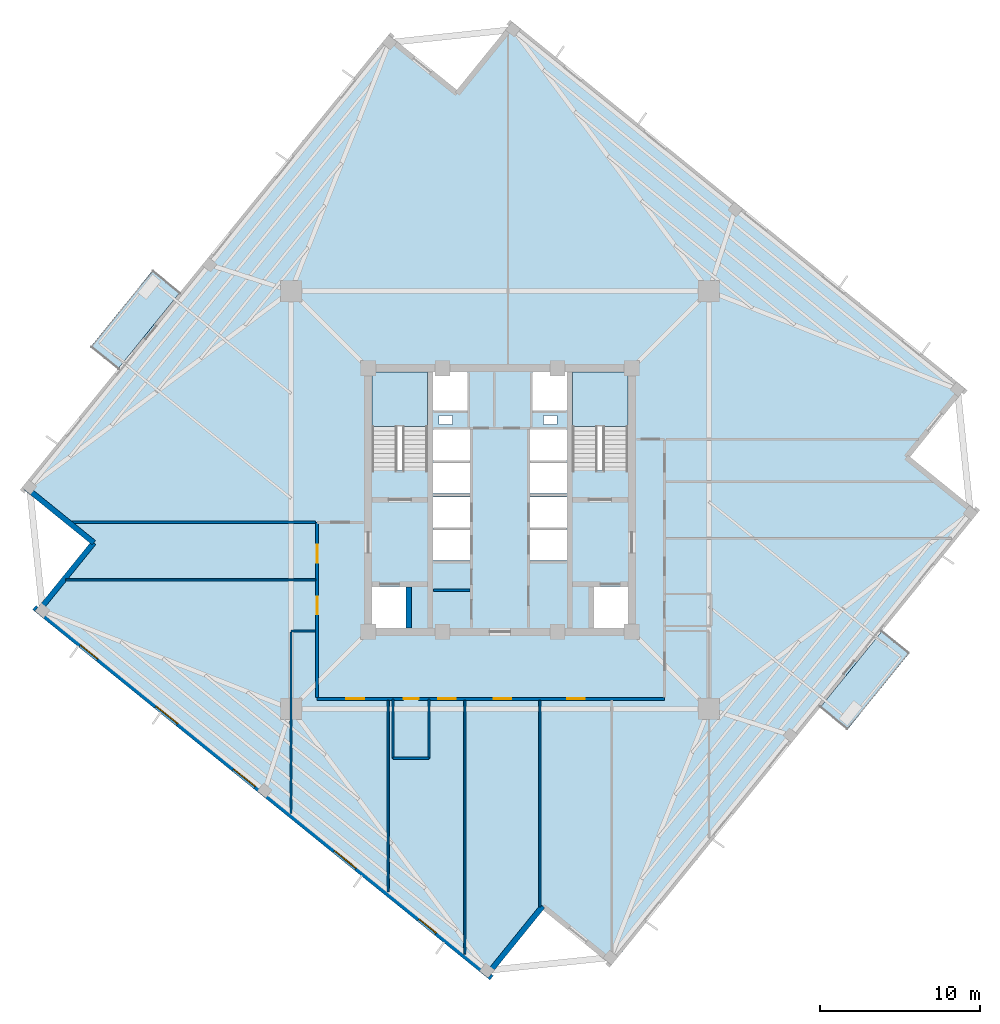
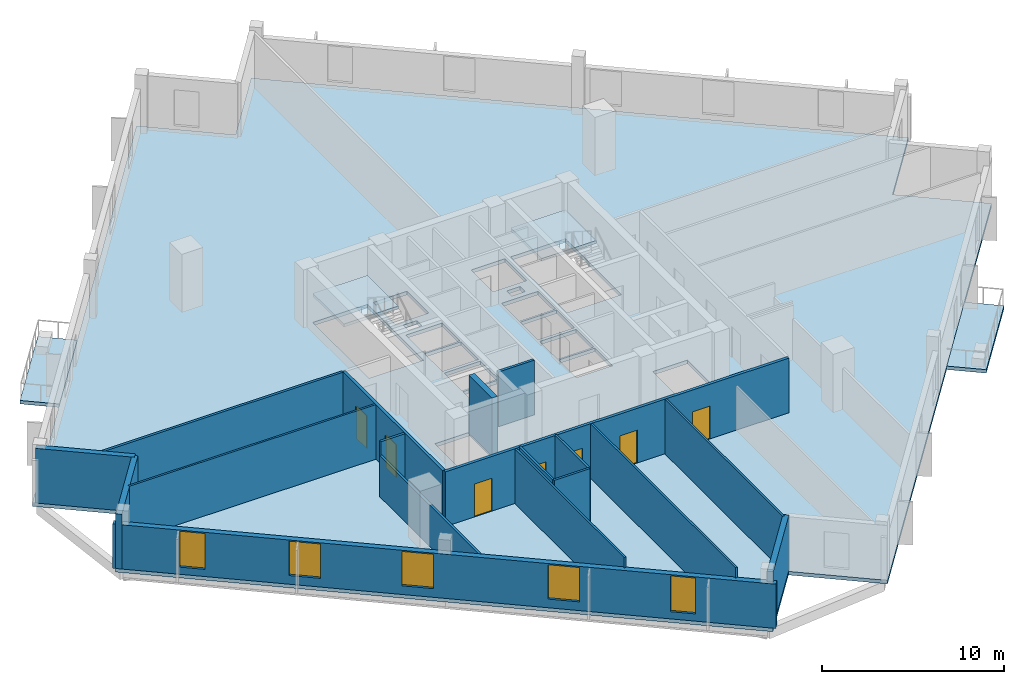
# One storey, part 2 of 9: 18 walls, 7 doors, 5 slabs, 5 windows, 12 openings, 2 elements without a shape of their own.
"""IFC4 building model written with IfcOpenShell, lengths in metres."""

from ifc_helpers import new_model, si_unit, direction, frame, frame_2d, origin, place, context, subcontext, project, spatial, polyline, rectangle, outline, extrude, source, transform, mapped, material, layer, layer_set, type_object, element, fill, aggregate, save


model = new_model("IFC4")

# Units and contexts
model_context = context("Model", 3, precision=1e-05, world=origin(), true_north=direction((0.0, 1.0)))
body_context = subcontext(model_context, "Body", "Model", "MODEL_VIEW")
ifc_project = project(units=[si_unit("LENGTHUNIT", "METRE"), si_unit("AREAUNIT", "SQUARE_METRE"), si_unit("VOLUMEUNIT", "CUBIC_METRE"), si_unit("PLANEANGLEUNIT", "RADIAN"), si_unit("MASSUNIT", "GRAM", prefix="KILO"), si_unit("THERMODYNAMICTEMPERATUREUNIT", "KELVIN")], contexts=[model_context])

# Site, building, storey
site_placement = place(None, origin())
site = spatial("IfcSite", under=ifc_project, at=site_placement, CompositionType="ELEMENT")
building_placement = place(site_placement, origin())
building = spatial("IfcBuilding", under=site, at=building_placement, Name="Kosmvard Interchange Tower", CompositionType="ELEMENT")
storey_placement = place(building_placement, frame((0.0, 0.0, 209.5)))
storey = spatial("IfcBuildingStorey", under=building, at=storey_placement, Name="L50", CompositionType="ELEMENT", Elevation=209.5)

# Slab
ifc_material_1 = material(Name="Concrete C50/60", Category="concrete")
ifc_layer_1 = layer(ifc_material_1, 0.239990234375, Name="Concrete C50/60")
ifc_layer_set_1 = layer_set([ifc_layer_1], Name="Concrete C50/60")
slab_type_1 = type_object("IfcSlabType", Name="High-Rise Suite Composite Slab 240 C50/60", PredefinedType="FLOOR", material=ifc_layer_set_1)
slab_1_placement = place(storey_placement, frame((0.0, 0.0, -0.239990234375)))
element("IfcSlab", 1, at=slab_1_placement, inside=storey, type_object=slab_type_1, Name="L50 Structural Floor Slab", PredefinedType="FLOOR", context=body_context, shape_type="SweptSolid", body=[
    extrude(outline(polyline([(6.97216796875, -29.12939453125), (29.9423828125, -0.763427734375), (25.66796875, 2.69775390625), (29.12939453125, 6.97216796875), (0.763427734375, 29.9423828125), (-2.69775390625, 25.66796875), (-6.97216796875, 29.12939453125), (-29.9423828125, 0.763427734375), (-25.66796875, -2.69775390625), (-29.12939453125, -6.97216796875), (-0.763427734375, -29.9423828125), (2.69775390625, -25.66796875), (6.97216796875, -29.12939453125)]), holes=[polyline([(-8.0, 1.8349609375), (-4.5400390625, 1.8349609375), (-4.5400390625, 8.0), (-8.0, 8.0), (-8.0, 1.8349609375)]), polyline([(4.5400390625, 1.8349609375), (8.0, 1.8349609375), (8.0, 8.0), (4.5400390625, 8.0), (4.5400390625, 1.8349609375)]), polyline([(-8.0, -8.0), (-5.800048828125, -8.0), (-5.800048828125, -5.39990234375), (-8.0, -5.39990234375), (-8.0, -8.0)]), polyline([(5.800048828125, -8.0), (8.0, -8.0), (8.0, -5.39990234375), (5.800048828125, -5.39990234375), (5.800048828125, -8.0)]), polyline([(-4.179931640625, -3.800048828125), (-1.8798828125, -3.800048828125), (-1.8798828125, -1.860107421875), (-4.179931640625, -1.860107421875), (-4.179931640625, -3.800048828125)]), polyline([(-4.179931640625, -1.739990234375), (-1.8798828125, -1.739990234375), (-1.8798828125, 0.199951171875), (-4.179931640625, 0.199951171875), (-4.179931640625, -1.739990234375)]), polyline([(1.8798828125, -3.800048828125), (4.179931640625, -3.800048828125), (4.179931640625, -1.860107421875), (1.8798828125, -1.860107421875), (1.8798828125, -3.800048828125)]), polyline([(1.8798828125, -1.739990234375), (4.179931640625, -1.739990234375), (4.179931640625, 0.199951171875), (1.8798828125, 0.199951171875), (1.8798828125, -1.739990234375)]), polyline([(-4.179931640625, 0.39990234375), (-1.8798828125, 0.39990234375), (-1.8798828125, 2.340087890625), (-4.179931640625, 2.340087890625), (-4.179931640625, 0.39990234375)]), polyline([(-4.179931640625, 2.4599609375), (-1.8798828125, 2.4599609375), (-1.8798828125, 4.39990234375), (-4.179931640625, 4.39990234375), (-4.179931640625, 2.4599609375)]), polyline([(1.8798828125, 0.39990234375), (4.179931640625, 0.39990234375), (4.179931640625, 2.340087890625), (1.8798828125, 2.340087890625), (1.8798828125, 0.39990234375)]), polyline([(1.8798828125, 2.4599609375), (4.179931640625, 2.4599609375), (4.179931640625, 4.39990234375), (1.8798828125, 4.39990234375), (1.8798828125, 2.4599609375)]), polyline([(-4.179931640625, 5.60009765625), (-2.0400390625, 5.60009765625), (-2.0400390625, 8.0), (-4.179931640625, 8.0), (-4.179931640625, 5.60009765625)]), polyline([(2.0400390625, 5.60009765625), (4.179931640625, 5.60009765625), (4.179931640625, 8.0), (2.0400390625, 8.0), (2.0400390625, 5.60009765625)]), polyline([(-3.81494140625, 4.739990234375), (-2.965087890625, 4.739990234375), (-2.965087890625, 5.2900390625), (-3.81494140625, 5.2900390625), (-3.81494140625, 4.739990234375)]), polyline([(2.715087890625, 4.739990234375), (3.56494140625, 4.739990234375), (3.56494140625, 5.2900390625), (2.715087890625, 5.2900390625), (2.715087890625, 4.739990234375)])]), origin(), (0.0, 0.0, 1.0), 0.239990234375),
])

# Stair, slab
stair_type = type_object("IfcStairType", Name="Dog-Leg Core Exit Stair H3900 C50/60", PredefinedType="HALF_TURN_STAIR", material=ifc_material_1)
stair_1_placement = place(storey_placement, origin())
stair_1 = element("IfcStair", 2, at=stair_1_placement, inside=storey, type_object=stair_type, Name="L50 Protected Exit Stair ST-1", PredefinedType="HALF_TURN_STAIR")
ifc_layer_2 = layer(ifc_material_1, 0.199951171875, Name="Concrete C50/60")
ifc_layer_set_2 = layer_set([ifc_layer_2], Name="Concrete C50/60")
slab_type_2 = type_object("IfcSlabType", Name="Stair Half-Landing Slab 200 C50/60", PredefinedType="LANDING", material=ifc_layer_set_2)
slab_2_placement = place(storey_placement, frame((0.0, 0.0, 1.75)))
slab_2 = element("IfcSlab", 3, at=slab_2_placement, type_object=slab_type_2, Name="ST-1 landing 1", PredefinedType="LANDING", context=body_context, shape_type="SweptSolid", body=[
    extrude(outline(polyline([(-4.5400390625, 4.60009765625), (-4.5400390625, 8.0), (-8.0, 8.0), (-8.0, 4.60009765625), (-4.5400390625, 4.60009765625)])), origin(), (0.0, 0.0, 1.0), 0.199951171875),
])
aggregate(stair_1, [slab_2])

stair_2_placement = place(storey_placement, origin())
stair_2 = element("IfcStair", 4, at=stair_2_placement, inside=storey, type_object=stair_type, Name="L50 Protected Exit Stair ST-2", PredefinedType="HALF_TURN_STAIR")
slab_3_placement = place(storey_placement, frame((0.0, 0.0, 1.75)))
slab_3 = element("IfcSlab", 5, at=slab_3_placement, type_object=slab_type_2, Name="ST-2 landing 1", PredefinedType="LANDING", context=body_context, shape_type="SweptSolid", body=[
    extrude(outline(polyline([(8.0, 4.60009765625), (8.0, 8.0), (4.5400390625, 8.0), (4.5400390625, 4.60009765625), (8.0, 4.60009765625)])), origin(), (0.0, 0.0, 1.0), 0.199951171875),
])
aggregate(stair_2, [slab_3])

# Slabs
ifc_layer_3 = layer(ifc_material_1, 0.22998046875, Name="Concrete C50/60")
ifc_layer_set_3 = layer_set([ifc_layer_3], Name="Concrete C50/60")
slab_type_3 = type_object("IfcSlabType", Name="Tree-Planter Cantilever Balcony Slab 230 C50/60", PredefinedType="FLOOR", material=ifc_layer_set_3)
slab_4_placement = place(storey_placement, frame((0.0, 0.0, -0.22998046875)))
element("IfcSlab", 6, at=slab_4_placement, inside=storey, type_object=slab_type_3, Name="L50 Outdoor Terrace Balcony Slab BAL-L50-NE", PredefinedType="FLOOR", context=body_context, shape_type="SweptSolid", body=[
    extrude(outline(polyline([(-23.932373046875, 8.185302734375), (-20.030517578125, 13.00341796875), (-21.740234375, 14.387939453125), (-25.64208984375, 9.569580078125), (-23.932373046875, 8.185302734375)])), origin(), (0.0, 0.0, 1.0), 0.22998046875),
])
slab_5_placement = place(storey_placement, frame((0.0, 0.0, -0.22998046875)))
element("IfcSlab", 7, at=slab_5_placement, inside=storey, type_object=slab_type_3, Name="L50 Outdoor Terrace Balcony Slab BAL-L50-SW", PredefinedType="FLOOR", context=body_context, shape_type="SweptSolid", body=[
    extrude(outline(polyline([(21.740234375, -14.387939453125), (25.64208984375, -9.569580078125), (23.932373046875, -8.185302734375), (20.030517578125, -13.00341796875), (21.740234375, -14.387939453125)])), origin(), (0.0, 0.0, 1.0), 0.22998046875),
])

# Walls
ifc_material_2 = material(Name="Acoustic gypsum partition system")
ifc_layer_4 = layer(ifc_material_2, 0.14990234375, Name="Acoustic gypsum partition system")
ifc_layer_set_4 = layer_set([ifc_layer_4], Name="Acoustic gypsum partition system")
wall_type_1 = type_object("IfcWallType", Name="Acoustic Suite & Meeting Partition 150", PredefinedType="PARTITIONING", material=ifc_layer_set_4)
wall_1_placement = place(storey_placement, frame((-26.833740234375, -1.39990234375, 0.0), z_axis=(0.0, 0.0, 1.0), x_axis=(1.0, 0.0, 0.0)))
element("IfcWall", 8, at=wall_1_placement, inside=storey, type_object=wall_type_1, Name="L50 Room Partition 02.1", PredefinedType="PARTITIONING", context=body_context, shape_type="SweptSolid", body=[
    extrude(rectangle(XDim=15.288818359375, YDim=0.14990234375, at=frame_2d((7.64453125, 0.0))), origin(), (0.0, 0.0, 1.0), 3.659912109375),
])
wall_2_placement = place(storey_placement, frame((-11.544921875, -8.199951171875, 0.0), z_axis=(0.0, 0.0, 1.0), x_axis=(-1.0, 0.0, 0.0)))
element("IfcWall", 9, at=wall_2_placement, inside=storey, type_object=wall_type_1, Name="L50 Room Partition 05.1", PredefinedType="PARTITIONING", context=body_context, shape_type="SweptSolid", body=[
    extrude(rectangle(XDim=1.5361328125, YDim=0.14990234375, at=frame_2d((0.76806640625, 0.0))), origin(), (0.0, 0.0, 1.0), 3.659912109375),
])
wall_3_placement = place(storey_placement, frame((-13.0810546875, -8.27490234375, 0.0), z_axis=(0.0, 0.0, 1.0), x_axis=(0.0, -1.0, 0.0)))
element("IfcWall", 10, at=wall_3_placement, inside=storey, type_object=wall_type_1, Name="L50 Room Partition 06.1", PredefinedType="PARTITIONING", context=body_context, shape_type="SweptSolid", body=[
    extrude(rectangle(XDim=11.339111328125, YDim=0.14990234375, at=frame_2d((5.66943359375, 0.0))), origin(), (0.0, 0.0, 1.0), 2.760009765625),
])
ifc_material_3 = material(Name="Fire-rated gypsum partition system")
ifc_layer_5 = layer(ifc_material_3, 0.159912109375, Name="Fire-rated gypsum partition system")
ifc_layer_set_5 = layer_set([ifc_layer_5], Name="Fire-rated gypsum partition system")
wall_type_2 = type_object("IfcWallType", Name="Core Compartment & Shuttle Lobby Partition 160", PredefinedType="PARTITIONING", material=ifc_layer_set_5)
wall_4_placement = place(storey_placement, frame((-4.169921875, -5.64990234375, 0.0), z_axis=(0.0, 0.0, 1.0), x_axis=(1.0, 0.0, 0.0)))
element("IfcWall", 11, at=wall_4_placement, inside=storey, type_object=wall_type_2, Name="L50 Reclaimed Split W", PredefinedType="PARTITIONING", context=body_context, shape_type="SweptSolid", body=[
    extrude(rectangle(XDim=2.280029296875, YDim=0.159912109375, at=frame_2d((1.14013671875, 0.0))), origin(), (0.0, 0.0, 1.0), 3.659912109375),
])

# Wall, openings, doors
ifc_layer_6 = layer(ifc_material_3, 0.179931640625, Name="Fire-rated gypsum partition system")
ifc_layer_set_6 = layer_set([ifc_layer_6], Name="Fire-rated gypsum partition system")
wall_type_3 = type_object("IfcWallType", Name="Corridor & Hotel Compartment Partition 180", PredefinedType="PARTITIONING", material=ifc_layer_set_6)
wall_5_placement = place(storey_placement, frame((-11.449951171875, -12.449951171875, 0.0), z_axis=(0.0, 0.0, 1.0), x_axis=(1.0, 0.0, 0.0)))
wall_5 = element("IfcWall", 12, at=wall_5_placement, inside=storey, type_object=wall_type_3, Name="L50 Corridor Wall CS", PredefinedType="PARTITIONING", context=body_context, shape_type="SweptSolid", body=[
    extrude(rectangle(XDim=21.75, YDim=0.179931640625, at=frame_2d((10.875, 0.0))), origin(), (0.0, 0.0, 1.0), 3.659912109375),
])
opening_1_placement = place(wall_5_placement, frame((5.4111328125, 0.0, 0.0)))
opening_1 = element("IfcOpeningElement", 13, at=opening_1_placement, cuts=wall_5, Name="Opening L50-D02", PredefinedType="OPENING", context=body_context, shape_type="SweptSolid", body=[
    extrude(rectangle(XDim=0.949951171875, YDim=2.10009765625, at=frame_2d((0.47509765625, 1.050048828125))), frame((0.0, 0.10009765625, 0.0), z_axis=(0.0, -1.0, 0.0), x_axis=(1.0, 0.0, 0.0)), (0.0, 0.0, 1.0), 0.199951171875),
])
opening_2_placement = place(wall_5_placement, frame((1.83935546875, 0.0, 0.0)))
opening_2 = element("IfcOpeningElement", 14, at=opening_2_placement, cuts=wall_5, Name="Opening L50-D08", PredefinedType="OPENING", context=body_context, shape_type="SweptSolid", body=[
    extrude(rectangle(XDim=1.10009765625, YDim=2.199951171875, at=frame_2d((0.550048828125, 1.10009765625))), frame((0.0, 0.10009765625, 0.0), z_axis=(0.0, -1.0, 0.0), x_axis=(1.0, 0.0, 0.0)), (0.0, 0.0, 1.0), 0.199951171875),
])
opening_3_placement = place(wall_5_placement, frame((7.574462890625, 0.0, 0.0)))
opening_3 = element("IfcOpeningElement", 15, at=opening_3_placement, cuts=wall_5, Name="Opening L50-D09", PredefinedType="OPENING", context=body_context, shape_type="SweptSolid", body=[
    extrude(rectangle(XDim=1.10009765625, YDim=2.199951171875, at=frame_2d((0.550048828125, 1.10009765625))), frame((0.0, 0.10009765625, 0.0), z_axis=(0.0, -1.0, 0.0), x_axis=(1.0, 0.0, 0.0)), (0.0, 0.0, 1.0), 0.199951171875),
])
opening_4_placement = place(wall_5_placement, frame((11.050048828125, 0.0, 0.0)))
opening_4 = element("IfcOpeningElement", 16, at=opening_4_placement, cuts=wall_5, Name="Opening L50-D10", PredefinedType="OPENING", context=body_context, shape_type="SweptSolid", body=[
    extrude(rectangle(XDim=1.10009765625, YDim=2.199951171875, at=frame_2d((0.550048828125, 1.10009765625))), frame((0.0, 0.10009765625, 0.0), z_axis=(0.0, -1.0, 0.0), x_axis=(1.0, 0.0, 0.0)), (0.0, 0.0, 1.0), 0.199951171875),
])
opening_5_placement = place(wall_5_placement, frame((15.64990234375, 0.0, 0.0)))
opening_5 = element("IfcOpeningElement", 17, at=opening_5_placement, cuts=wall_5, Name="Opening L50-D11", PredefinedType="OPENING", context=body_context, shape_type="SweptSolid", body=[
    extrude(rectangle(XDim=1.10009765625, YDim=2.199951171875, at=frame_2d((0.550048828125, 1.10009765625))), frame((0.0, 0.10009765625, 0.0), z_axis=(0.0, -1.0, 0.0), x_axis=(1.0, 0.0, 0.0)), (0.0, 0.0, 1.0), 0.199951171875),
])
ifc_material_4 = material(Name="Laminated moisture-resistant timber", Category="wood")
door_type_1 = type_object("IfcDoorType", Name="Accessible Washroom Door 950x2100", OperationType="NOTDEFINED", PredefinedType="DOOR", material=ifc_material_4)
shared_shape_1 = source(origin(), body_context, "Body", "SweptSolid", [
    extrude(rectangle(XDim=0.949951171875, YDim=2.10009765625, at=frame_2d((0.47509765625, 1.050048828125))), frame((0.0, 0.02490234375, 0.0), z_axis=(0.0, -1.0, 0.0), x_axis=(1.0, 0.0, 0.0)), (0.0, 0.0, 1.0), 0.050048828125),
])
door_1_placement = place(opening_1_placement, frame((0.949951171875, 0.0, 0.0), z_axis=(0.0, 0.0, 1.0), x_axis=(-1.0, 0.0, 0.0)))
door_1 = element("IfcDoor", 18, at=door_1_placement, inside=storey, type_object=door_type_1, Name="L50 Public Floor Washroom Door", OperationType="SINGLE_SWING_RIGHT", OverallHeight=2.10009765625, OverallWidth=0.949951171875, PredefinedType="DOOR", context=body_context, shape_type="MappedRepresentation", body=[
    mapped(shared_shape_1, transform((0.0, 0.0, 0.0), scale=1.0)),
])
fill(opening_1, door_1)
ifc_material_5 = material(Name="Engineered oak fire-rated timber", Category="wood")
door_type_2 = type_object("IfcDoorType", Name="Office Suite Entrance Door 1100x2200 FD30S", OperationType="NOTDEFINED", PredefinedType="DOOR", material=ifc_material_5)
shared_shape_2 = source(origin(), body_context, "Body", "SweptSolid", [
    extrude(rectangle(XDim=1.10009765625, YDim=2.199951171875, at=frame_2d((0.550048828125, 1.10009765625))), frame((0.0, 0.02490234375, 0.0), z_axis=(0.0, -1.0, 0.0), x_axis=(1.0, 0.0, 0.0)), (0.0, 0.0, 1.0), 0.050048828125),
])
door_2_placement = place(opening_2_placement, frame((1.10009765625, 0.0, 0.0), z_axis=(0.0, 0.0, 1.0), x_axis=(-1.0, 0.0, 0.0)))
door_2 = element("IfcDoor", 19, at=door_2_placement, inside=storey, type_object=door_type_2, Name="L50 Treaty Conference Room 3 Door", OperationType="SINGLE_SWING_RIGHT", OverallHeight=2.199951171875, OverallWidth=1.10009765625, PredefinedType="DOOR", context=body_context, shape_type="MappedRepresentation", body=[
    mapped(shared_shape_2, transform((0.0, 0.0, 0.0), scale=1.0)),
])
fill(opening_2, door_2)
door_3_placement = place(opening_3_placement, frame((1.10009765625, 0.0, 0.0), z_axis=(0.0, 0.0, 1.0), x_axis=(-1.0, 0.0, 0.0)))
door_3 = element("IfcDoor", 20, at=door_3_placement, inside=storey, type_object=door_type_2, Name="L50 Diplomatic Seminar Room 4 Door", OperationType="SINGLE_SWING_LEFT", OverallHeight=2.199951171875, OverallWidth=1.10009765625, PredefinedType="DOOR", context=body_context, shape_type="MappedRepresentation", body=[
    mapped(shared_shape_2, transform((0.0, 0.0, 0.0), scale=1.0)),
])
fill(opening_3, door_3)
door_4_placement = place(opening_4_placement, frame((1.10009765625, 0.0, 0.0), z_axis=(0.0, 0.0, 1.0), x_axis=(-1.0, 0.0, 0.0)))
door_4 = element("IfcDoor", 21, at=door_4_placement, inside=storey, type_object=door_type_2, Name="L50 Ambassador Reading Study 1 Door", OperationType="SINGLE_SWING_RIGHT", OverallHeight=2.199951171875, OverallWidth=1.10009765625, PredefinedType="DOOR", context=body_context, shape_type="MappedRepresentation", body=[
    mapped(shared_shape_2, transform((0.0, 0.0, 0.0), scale=1.0)),
])
fill(opening_4, door_4)
door_5_placement = place(opening_5_placement, frame((1.10009765625, 0.0, 0.0), z_axis=(0.0, 0.0, 1.0), x_axis=(-1.0, 0.0, 0.0)))
door_5 = element("IfcDoor", 22, at=door_5_placement, inside=storey, type_object=door_type_2, Name="L50 Counsel Quiet Study 2 Door", OperationType="SINGLE_SWING_LEFT", OverallHeight=2.199951171875, OverallWidth=1.10009765625, PredefinedType="DOOR", context=body_context, shape_type="MappedRepresentation", body=[
    mapped(shared_shape_2, transform((0.0, 0.0, 0.0), scale=1.0)),
])
fill(opening_5, door_5)

wall_6_placement = place(storey_placement, frame((-11.449951171875, -12.35009765625, 0.0), z_axis=(0.0, 0.0, 1.0), x_axis=(0.0, 1.0, 0.0)))
wall_6 = element("IfcWall", 23, at=wall_6_placement, inside=storey, type_object=wall_type_3, Name="L50 Corridor Wall CW", PredefinedType="PARTITIONING", context=body_context, shape_type="SweptSolid", body=[
    extrude(rectangle(XDim=10.9501953125, YDim=0.179931640625, at=frame_2d((5.47509765625, 0.0))), origin(), (0.0, 0.0, 1.0), 3.659912109375),
])
opening_6_placement = place(wall_6_placement, frame((8.435546875, 0.0, 0.0)))
opening_6 = element("IfcOpeningElement", 24, at=opening_6_placement, cuts=wall_6, Name="Opening L50-D06", PredefinedType="OPENING", context=body_context, shape_type="SweptSolid", body=[
    extrude(rectangle(XDim=1.10009765625, YDim=2.199951171875, at=frame_2d((0.550048828125, 1.10009765625))), frame((0.0, 0.10009765625, 0.0), z_axis=(0.0, -1.0, 0.0), x_axis=(1.0, 0.0, 0.0)), (0.0, 0.0, 1.0), 0.199951171875),
])
opening_7_placement = place(wall_6_placement, frame((5.199951171875, 0.0, 0.0)))
opening_7 = element("IfcOpeningElement", 25, at=opening_7_placement, cuts=wall_6, Name="Opening L50-D07", PredefinedType="OPENING", context=body_context, shape_type="SweptSolid", body=[
    extrude(rectangle(XDim=1.10009765625, YDim=2.199951171875, at=frame_2d((0.550048828125, 1.10009765625))), frame((0.0, 0.10009765625, 0.0), z_axis=(0.0, -1.0, 0.0), x_axis=(1.0, 0.0, 0.0)), (0.0, 0.0, 1.0), 0.199951171875),
])
door_6_placement = place(opening_6_placement, origin())
door_6 = element("IfcDoor", 26, at=door_6_placement, inside=storey, type_object=door_type_2, Name="L50 Executive Servery Pantry Door", OperationType="SINGLE_SWING_RIGHT", OverallHeight=2.199951171875, OverallWidth=1.10009765625, PredefinedType="DOOR", context=body_context, shape_type="MappedRepresentation", body=[
    mapped(shared_shape_2, transform((0.0, 0.0, 0.0), scale=1.0)),
])
fill(opening_6, door_6)
door_7_placement = place(opening_7_placement, origin())
door_7 = element("IfcDoor", 27, at=door_7_placement, inside=storey, type_object=door_type_2, Name="L50 Chancery Boardroom 2 Door", OperationType="SINGLE_SWING_LEFT", OverallHeight=2.199951171875, OverallWidth=1.10009765625, PredefinedType="DOOR", context=body_context, shape_type="MappedRepresentation", body=[
    mapped(shared_shape_2, transform((0.0, 0.0, 0.0), scale=1.0)),
])
fill(opening_7, door_7)

# Walls
ifc_material_6 = material(Name="Precast concrete C45/55", Category="concrete")
ifc_layer_7 = layer(ifc_material_6, 0.340087890625, Name="Precast concrete C45/55")
ifc_layer_set_7 = layer_set([ifc_layer_7], Name="Precast concrete C45/55")
wall_type_4 = type_object("IfcWallType", Name="Mid Tower Precast Pier Wall 340 C45/55", PredefinedType="STANDARD", material=ifc_layer_set_7)
wall_7_placement = place(storey_placement, frame((-29.703125, 0.78857421875, 0.0), z_axis=(0.0, 0.0, 1.0), x_axis=(0.77714355312, -0.629323365087, 0.0)))
element("IfcWall", 28, at=wall_7_placement, inside=storey, type_object=wall_type_4, Name="L50 Precast Facade Wall N-NW1", PredefinedType="STANDARD", context=body_context, shape_type="SweptSolid", body=[
    extrude(rectangle(XDim=5.499755859375, YDim=0.340087890625, at=frame_2d((2.75, 0.0))), origin(), (0.0, 0.0, 1.0), 3.659912109375),
])
wall_8_placement = place(storey_placement, frame((-25.428955078125, -2.672607421875, 0.0), z_axis=(0.0, 0.0, 1.0), x_axis=(-0.629299794138, -0.777162640055, 0.0)))
element("IfcWall", 29, at=wall_8_placement, inside=storey, type_object=wall_type_4, Name="L50 Precast Facade Wall N-NW2", PredefinedType="STANDARD", context=body_context, shape_type="SweptSolid", body=[
    extrude(rectangle(XDim=5.669921875, YDim=0.340087890625, at=frame_2d((2.8349609375, 0.0))), origin(), (0.0, 0.0, 1.0), 3.659912109375),
])

# Wall, openings, windows
wall_9_placement = place(storey_placement, frame((-29.154296875, -6.73291015625, 0.0), z_axis=(0.0, 0.0, 1.0), x_axis=(0.77714192302, -0.629325378072, 0.0)))
wall_9 = element("IfcWall", 30, at=wall_9_placement, inside=storey, type_object=wall_type_4, Name="L50 Precast Facade Wall F-W", PredefinedType="STANDARD", context=body_context, shape_type="SweptSolid", body=[
    extrude(rectangle(XDim=36.840087890625, YDim=0.340087890625, at=frame_2d((18.419921875, 0.0))), origin(), (0.0, 0.0, 1.0), 2.9599609375),
])
opening_8_placement = place(wall_9_placement, frame((3.720703125, 0.0, 0.47998046875)))
opening_8 = element("IfcOpeningElement", 31, at=opening_8_placement, cuts=wall_9, Name="Opening L50-W16", PredefinedType="OPENING", context=body_context, shape_type="SweptSolid", body=[
    extrude(rectangle(XDim=1.39990234375, YDim=2.39990234375, at=frame_2d((0.699951171875, 1.199951171875))), frame((0.0, 0.18017578125, 0.0), z_axis=(0.0, -1.0, 0.0), x_axis=(1.0, 0.0, 0.0)), (0.0, 0.0, 1.0), 0.360107421875),
])
opening_9_placement = place(wall_9_placement, frame((9.80859375, 0.0, 0.580078125)))
opening_9 = element("IfcOpeningElement", 32, at=opening_9_placement, cuts=wall_9, Name="Opening L50-W17", PredefinedType="OPENING", context=body_context, shape_type="SweptSolid", body=[
    extrude(rectangle(XDim=1.75, YDim=2.300048828125, at=frame_2d((0.875, 1.14990234375))), frame((0.0, 0.18017578125, 0.0), z_axis=(0.0, -1.0, 0.0), x_axis=(1.0, 0.0, 0.0)), (0.0, 0.0, 1.0), 0.360107421875),
])
opening_10_placement = place(wall_9_placement, frame((16.05810546875, 0.0, 0.580078125)))
opening_10 = element("IfcOpeningElement", 33, at=opening_10_placement, cuts=wall_9, Name="Opening L50-W18", PredefinedType="OPENING", context=body_context, shape_type="SweptSolid", body=[
    extrude(rectangle(XDim=1.75, YDim=2.300048828125, at=frame_2d((0.875, 1.14990234375))), frame((0.0, 0.18017578125, 0.0), z_axis=(0.0, -1.0, 0.0), x_axis=(1.0, 0.0, 0.0)), (0.0, 0.0, 1.0), 0.360107421875),
])
opening_11_placement = place(wall_9_placement, frame((24.17626953125, 0.0, 0.580078125)))
opening_11 = element("IfcOpeningElement", 34, at=opening_11_placement, cuts=wall_9, Name="Opening L50-W19", PredefinedType="OPENING", context=body_context, shape_type="SweptSolid", body=[
    extrude(rectangle(XDim=1.75, YDim=2.300048828125, at=frame_2d((0.875, 1.14990234375))), frame((0.0, 0.18017578125, 0.0), z_axis=(0.0, -1.0, 0.0), x_axis=(1.0, 0.0, 0.0)), (0.0, 0.0, 1.0), 0.360107421875),
])
opening_12_placement = place(wall_9_placement, frame((30.982421875, 0.0, 0.47998046875)))
opening_12 = element("IfcOpeningElement", 35, at=opening_12_placement, cuts=wall_9, Name="Opening L50-W20", PredefinedType="OPENING", context=body_context, shape_type="SweptSolid", body=[
    extrude(rectangle(XDim=1.39990234375, YDim=2.39990234375, at=frame_2d((0.699951171875, 1.199951171875))), frame((0.0, 0.18017578125, 0.0), z_axis=(0.0, -1.0, 0.0), x_axis=(1.0, 0.0, 0.0)), (0.0, 0.0, 1.0), 0.360107421875),
])
ifc_material_7 = material(Name="Low-E solar-control double glazing", Category="glass")
window_type_1 = type_object("IfcWindowType", Name="Notched Corner Feature Window 1400x2400", PartitioningType="SINGLE_PANEL", PredefinedType="WINDOW", material=ifc_material_7)
shared_shape_3 = source(origin(), body_context, "Body", "SweptSolid", [
    extrude(rectangle(XDim=1.39990234375, YDim=2.39990234375, at=frame_2d((0.699951171875, 1.199951171875))), frame((0.0, 0.030029296875, 0.0), z_axis=(0.0, -1.0, 0.0), x_axis=(1.0, 0.0, 0.0)), (0.0, 0.0, 1.0), 0.06005859375),
])
window_1_placement = place(opening_8_placement, origin())
window_1 = element("IfcWindow", 36, at=window_1_placement, inside=storey, type_object=window_type_1, Name="L50 Facade Punched Window 16", OverallHeight=2.39990234375, OverallWidth=1.39990234375, PartitioningType="SINGLE_PANEL", PredefinedType="WINDOW", context=body_context, shape_type="MappedRepresentation", body=[
    mapped(shared_shape_3, transform((0.0, 0.0, 0.0), scale=1.0)),
])
fill(opening_8, window_1)
window_2_placement = place(opening_12_placement, origin())
window_2 = element("IfcWindow", 37, at=window_2_placement, inside=storey, type_object=window_type_1, Name="L50 Facade Punched Window 20", OverallHeight=2.39990234375, OverallWidth=1.39990234375, PartitioningType="SINGLE_PANEL", PredefinedType="WINDOW", context=body_context, shape_type="MappedRepresentation", body=[
    mapped(shared_shape_3, transform((0.0, 0.0, 0.0), scale=1.0)),
])
fill(opening_12, window_2)
window_type_2 = type_object("IfcWindowType", Name="Zone 4 Suite Punched Window 1750x2300", PartitioningType="SINGLE_PANEL", PredefinedType="WINDOW", material=ifc_material_7)
shared_shape_4 = source(origin(), body_context, "Body", "SweptSolid", [
    extrude(rectangle(XDim=1.75, YDim=2.300048828125, at=frame_2d((0.875, 1.14990234375))), frame((0.0, 0.030029296875, 0.0), z_axis=(0.0, -1.0, 0.0), x_axis=(1.0, 0.0, 0.0)), (0.0, 0.0, 1.0), 0.06005859375),
])
window_3_placement = place(opening_9_placement, origin())
window_3 = element("IfcWindow", 38, at=window_3_placement, inside=storey, type_object=window_type_2, Name="L50 Facade Punched Window 17", OverallHeight=2.300048828125, OverallWidth=1.75, PartitioningType="SINGLE_PANEL", PredefinedType="WINDOW", context=body_context, shape_type="MappedRepresentation", body=[
    mapped(shared_shape_4, transform((0.0, 0.0, 0.0), scale=1.0)),
])
fill(opening_9, window_3)
window_4_placement = place(opening_10_placement, origin())
window_4 = element("IfcWindow", 39, at=window_4_placement, inside=storey, type_object=window_type_2, Name="L50 Facade Punched Window 18", OverallHeight=2.300048828125, OverallWidth=1.75, PartitioningType="SINGLE_PANEL", PredefinedType="WINDOW", context=body_context, shape_type="MappedRepresentation", body=[
    mapped(shared_shape_4, transform((0.0, 0.0, 0.0), scale=1.0)),
])
fill(opening_10, window_4)
window_5_placement = place(opening_11_placement, origin())
window_5 = element("IfcWindow", 40, at=window_5_placement, inside=storey, type_object=window_type_2, Name="L50 Facade Punched Window 19", OverallHeight=2.300048828125, OverallWidth=1.75, PartitioningType="SINGLE_PANEL", PredefinedType="WINDOW", context=body_context, shape_type="MappedRepresentation", body=[
    mapped(shared_shape_4, transform((0.0, 0.0, 0.0), scale=1.0)),
])
fill(opening_11, window_5)

# Walls
wall_10_placement = place(storey_placement, frame((-0.78857421875, -29.703125, 0.0), z_axis=(0.0, 0.0, 1.0), x_axis=(0.629323365087, 0.77714355312, 0.0)))
element("IfcWall", 41, at=wall_10_placement, inside=storey, type_object=wall_type_4, Name="L50 Precast Facade Wall N-SW1", PredefinedType="STANDARD", context=body_context, shape_type="SweptSolid", body=[
    extrude(rectangle(XDim=5.499755859375, YDim=0.340087890625, at=frame_2d((2.75, 0.0))), origin(), (0.0, 0.0, 1.0), 3.659912109375),
])
ifc_material_8 = material(Name="Gypsum board partition system")
ifc_layer_8 = layer(ifc_material_8, 0.1201171875, Name="Gypsum board partition system")
ifc_layer_set_8 = layer_set([ifc_layer_8], Name="Gypsum board partition system")
wall_type_5 = type_object("IfcWallType", Name="Office Cellular Partition 120", PredefinedType="PARTITIONING", material=ifc_layer_set_8)
wall_11_placement = place(storey_placement, frame((-27.178466796875, -5.0, 0.0), z_axis=(0.0, 0.0, 1.0), x_axis=(1.0, 0.0, 0.0)))
element("IfcWall", 42, at=wall_11_placement, inside=storey, type_object=wall_type_5, Name="L50 Room Partition 07.1", PredefinedType="PARTITIONING", context=body_context, shape_type="SweptSolid", body=[
    extrude(rectangle(XDim=15.633544921875, YDim=0.1201171875, at=frame_2d((7.81689453125, 0.0))), origin(), (0.0, 0.0, 1.0), 3.659912109375),
])
wall_12_placement = place(storey_placement, frame((-7.0, -24.5380859375, 0.0), z_axis=(0.0, 0.0, 1.0), x_axis=(0.0, 1.0, 0.0)))
element("IfcWall", 43, at=wall_12_placement, inside=storey, type_object=wall_type_5, Name="L50 Room Partition 08.1", PredefinedType="PARTITIONING", context=body_context, shape_type="SweptSolid", body=[
    extrude(rectangle(XDim=11.9931640625, YDim=0.1201171875, at=frame_2d((5.99658203125, 0.0))), origin(), (0.0, 0.0, 1.0), 3.659912109375),
])
wall_13_placement = place(storey_placement, frame((-2.199951171875, -28.425048828125, 0.0), z_axis=(0.0, 0.0, 1.0), x_axis=(0.0, 1.0, 0.0)))
element("IfcWall", 44, at=wall_13_placement, inside=storey, type_object=wall_type_5, Name="L50 Room Partition 09.1", PredefinedType="PARTITIONING", context=body_context, shape_type="SweptSolid", body=[
    extrude(rectangle(XDim=15.880126953125, YDim=0.1201171875, at=frame_2d((7.93994140625, 0.0))), origin(), (0.0, 0.0, 1.0), 3.659912109375),
])
wall_14_placement = place(storey_placement, frame((2.5, -25.475341796875, 0.0), z_axis=(0.0, 0.0, 1.0), x_axis=(0.0, 1.0, 0.0)))
element("IfcWall", 45, at=wall_14_placement, inside=storey, type_object=wall_type_5, Name="L50 Room Partition 10.1", PredefinedType="PARTITIONING", context=body_context, shape_type="SweptSolid", body=[
    extrude(rectangle(XDim=12.930419921875, YDim=0.1201171875, at=frame_2d((6.46533203125, 0.0))), origin(), (0.0, 0.0, 1.0), 3.659912109375),
])
ifc_material_9 = material(Name="Concrete C60/75", Category="concrete")
ifc_layer_9 = layer(ifc_material_9, 0.360107421875, Name="Concrete C60/75")
ifc_layer_set_9 = layer_set([ifc_layer_9], Name="Concrete C60/75")
wall_type_6 = type_object("IfcWallType", Name="Stair & Lift Shaft Shear Wall 360 C60/75", PredefinedType="SHEAR", material=ifc_layer_set_9)
wall_15_placement = place(storey_placement, frame((-5.7099609375, -8.0, 0.0), z_axis=(0.0, 0.0, 1.0), x_axis=(0.0, 1.0, 0.0)))
element("IfcWall", 46, at=wall_15_placement, inside=storey, type_object=wall_type_6, Name="L50 Shaft Shear Wall SW-SM1", PredefinedType="SHEAR", context=body_context, shape_type="SweptSolid", body=[
    extrude(rectangle(XDim=2.5400390625, YDim=0.360107421875, at=frame_2d((1.27001953125, 0.0))), origin(), (0.0, 0.0, 1.0), 3.89990234375),
])
ifc_material_10 = material(Name="Moisture-resistant gypsum partition")
ifc_layer_10 = layer(ifc_material_10, 0.135009765625, Name="Moisture-resistant gypsum partition")
ifc_layer_set_10 = layer_set([ifc_layer_10], Name="Moisture-resistant gypsum partition")
wall_type_7 = type_object("IfcWallType", Name="Wet Room Moisture-Resistant Partition 135", PredefinedType="PARTITIONING", material=ifc_layer_set_10)
wall_16_placement = place(storey_placement, frame((-6.68896484375, -16.169921875, 0.0), z_axis=(0.0, 0.0, 1.0), x_axis=(1.0, 0.0, 0.0)))
element("IfcWall", 47, at=wall_16_placement, inside=storey, type_object=wall_type_7, Name="L50 Washroom Partition WC1-S", PredefinedType="PARTITIONING", context=body_context, shape_type="SweptSolid", body=[
    extrude(rectangle(XDim=2.25, YDim=0.135009765625, at=frame_2d((1.125, 0.0))), origin(), (0.0, 0.0, 1.0), 3.659912109375),
])
for number, where, z_axis, x_axis, name in (
    (48, (-4.43896484375, -16.169921875, 0.0), (0.0, 0.0, 1.0), (0.0, 1.0, 0.0), "L50 Washroom Partition WC1-E"),
    (49, (-6.68896484375, -16.169921875, 0.0), (0.0, 0.0, 1.0), (0.0, 1.0, 0.0), "L50 Washroom Partition WC1-W"),
):
    element("IfcWall", number, at=place(storey_placement, frame(where, z_axis=z_axis, x_axis=x_axis)), inside=storey, type_object=wall_type_7, Name=name, PredefinedType="PARTITIONING", context=body_context, shape_type="SweptSolid", body=[
        extrude(rectangle(XDim=3.699951171875, YDim=0.135009765625, at=frame_2d((1.85009765625, 0.0))), origin(), (0.0, 0.0, 1.0), 3.659912109375),
    ])

save(model, "model.ifc")
